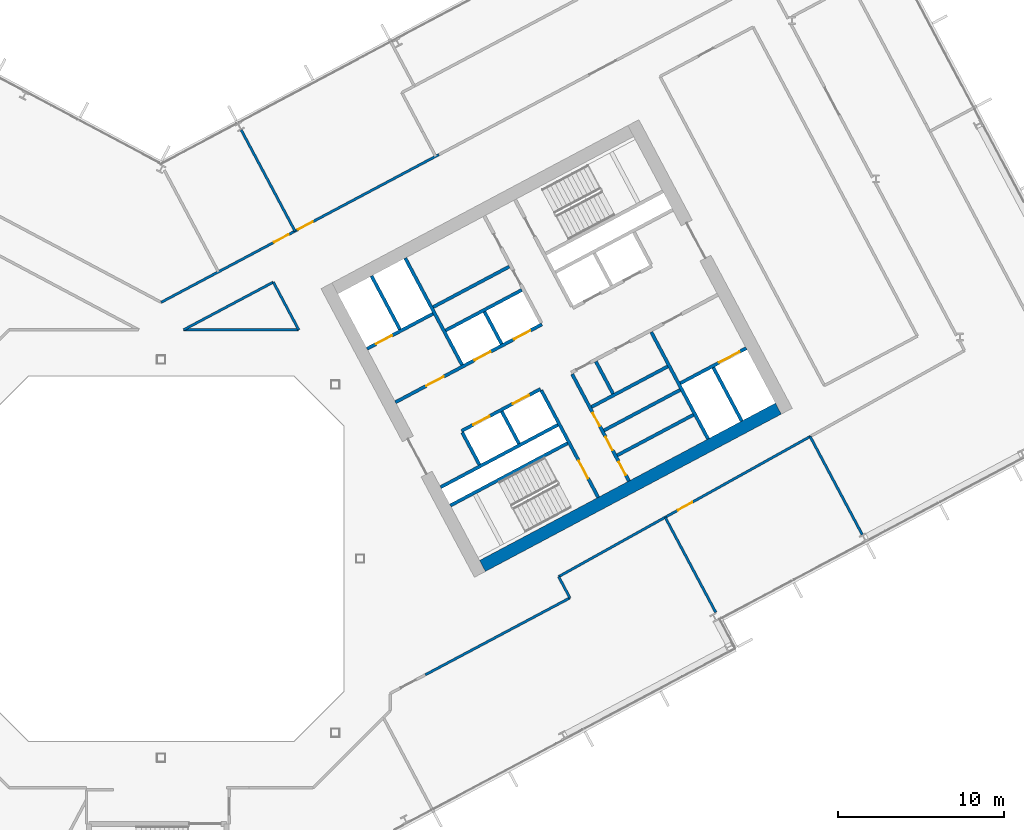
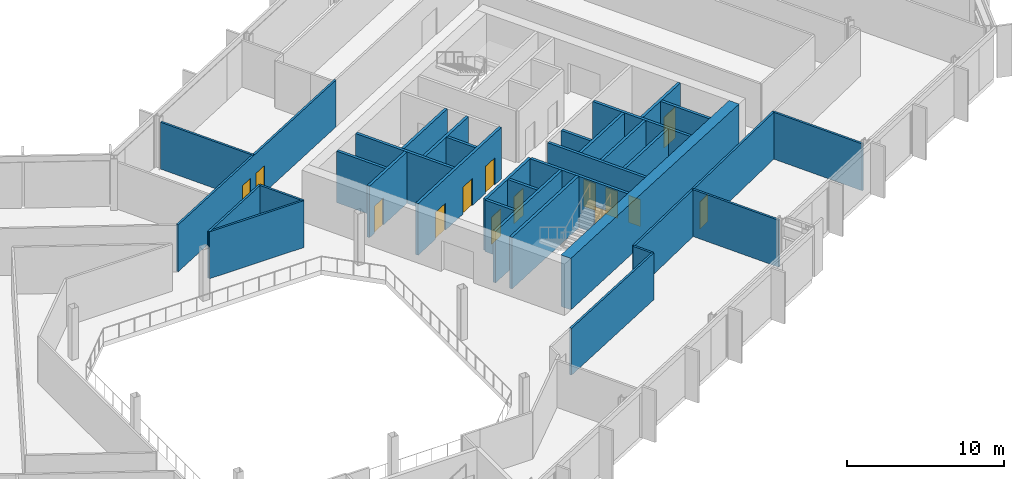
# One storey, part 16 of 28: 32 walls, 14 doors, 14 openings.
"""IFC4 building model written with IfcOpenShell, lengths in metres."""

from ifc_helpers import new_model, si_unit, direction, frame, frame_2d, origin, place, context, subcontext, project, spatial, rectangle, extrude, material, layer, layer_set, type_object, element, fill, save


model = new_model("IFC4")

# Units and contexts
model_context = context("Model", 3, precision=1e-05, world=origin(), true_north=direction((0.0, 1.0)))
body_context = subcontext(model_context, "Body", "Model", "MODEL_VIEW")
ifc_project = project(units=[si_unit("LENGTHUNIT", "METRE"), si_unit("AREAUNIT", "SQUARE_METRE"), si_unit("VOLUMEUNIT", "CUBIC_METRE"), si_unit("PLANEANGLEUNIT", "RADIAN"), si_unit("MASSUNIT", "GRAM", prefix="KILO")], contexts=[model_context])

# Site, building, storey
site_placement = place(None, origin())
site = spatial("IfcSite", under=ifc_project, at=site_placement, CompositionType="ELEMENT")
building_placement = place(site_placement, origin())
building = spatial("IfcBuilding", under=site, at=building_placement, Name="Cormorant Relay Tower", CompositionType="ELEMENT")
storey_placement = place(building_placement, frame((0.0, 0.0, 122.199951171875)))
storey = spatial("IfcBuildingStorey", under=building, at=storey_placement, Name="L24", CompositionType="ELEMENT", Elevation=122.199951171875)

# Walls
ifc_material_1 = material(Name="Concrete 40 MPa", Category="concrete")
ifc_layer_1 = layer(ifc_material_1, 0.199951171875)
ifc_layer_set_1 = layer_set([ifc_layer_1], Name="Core internal wall 200")
wall_type_1 = type_object("IfcWallType", Name="Core internal wall 200", PredefinedType="SOLIDWALL", material=ifc_layer_set_1)
for number, where, z_axis, x_axis, name in (
    (1, (21.567626953125, 6.9375, 0.0), (0.0, 0.0, 1.0), (-0.469533832133, 0.882914480843, 0.0), "L24 core B shaft and room wall"),
    (2, (20.522216796875, 12.950439453125, 0.0), (0.0, 0.0, 1.0), (-0.469401318492, 0.882984938828, 0.0), "L24 core B shaft and room wall"),
    (3, (27.236083984375, 9.951416015625, 0.0), (0.0, 0.0, 1.0), (-0.4694473164, 0.882960484464, 0.0), "L24 core B shaft and room wall"),
):
    element("IfcWall", number, at=place(storey_placement, frame(where, z_axis=z_axis, x_axis=x_axis)), inside=storey, type_object=wall_type_1, Name=name, PredefinedType="SOLIDWALL", context=body_context, shape_type="SweptSolid", body=[
        extrude(rectangle(XDim=2.199951171875, YDim=0.199951171875, at=frame_2d((1.10009765625, 0.0))), origin(), (0.0, 0.0, 1.0), 4.0),
    ])
for number, where, z_axis, x_axis, name in (
    (4, (27.490234375, 6.23583984375, 0.0), (0.0, 0.0, 1.0), (0.882953967957, 0.469459572775, 0.0), "L24 core B shaft and room wall"),
    (5, (26.692138671875, 7.73681640625, 0.0), (0.0, 0.0, 1.0), (0.882953967957, 0.469459572775, 0.0), "L24 core B shaft and room wall"),
    (6, (16.395751953125, 15.17333984375, 0.0), (0.0, 0.0, 1.0), (0.882934506056, 0.469496174655, 0.0), "L24 core B shaft and room wall"),
):
    element("IfcWall", number, at=place(storey_placement, frame(where, z_axis=z_axis, x_axis=x_axis)), inside=storey, type_object=wall_type_1, Name=name, PredefinedType="SOLIDWALL", context=body_context, shape_type="SweptSolid", body=[
        extrude(rectangle(XDim=5.199951171875, YDim=0.199951171875, at=frame_2d((2.60009765625, 0.0))), origin(), (0.0, 0.0, 1.0), 4.0),
    ])
ifc_material_2 = material(Name="Concrete 50 MPa", Category="concrete")
ifc_layer_2 = layer(ifc_material_2, 0.199951171875)
ifc_layer_set_2 = layer_set([ifc_layer_2], Name="Core shaft wall 200")
wall_type_2 = type_object("IfcWallType", Name="Core shaft wall 200", PredefinedType="SHEAR", material=ifc_layer_set_2)
wall_1_placement = place(storey_placement, frame((14.39404296875, 13.825927734375, 0.0), z_axis=(0.0, 0.0, 1.0), x_axis=(-0.469494272526, 0.882935517501, 0.0)))
element("IfcWall", 7, at=wall_1_placement, inside=storey, type_object=wall_type_2, Name="L24 core B shaft wall", PredefinedType="SHEAR", context=body_context, shape_type="SweptSolid", body=[
    extrude(rectangle(XDim=3.64990234375, YDim=0.199951171875, at=frame_2d((1.824951171875, 0.0))), origin(), (0.0, 0.0, 1.0), 4.0),
])
wall_2_placement = place(storey_placement, frame((19.18359375, 5.669921875, 0.0), z_axis=(0.0, 0.0, 1.0), x_axis=(-0.4694473164, 0.882960484464, 0.0)))
element("IfcWall", 8, at=wall_2_placement, inside=storey, type_object=wall_type_2, Name="L24 core B shaft wall", PredefinedType="SHEAR", context=body_context, shape_type="SweptSolid", body=[
    extrude(rectangle(XDim=2.199951171875, YDim=0.199951171875, at=frame_2d((1.10009765625, 0.0))), origin(), (0.0, 0.0, 1.0), 4.0),
])
wall_3_placement = place(storey_placement, frame((18.138427734375, 11.682861328125, 0.0), z_axis=(0.0, 0.0, 1.0), x_axis=(-0.469480409012, 0.88294288918, 0.0)))
element("IfcWall", 9, at=wall_3_placement, inside=storey, type_object=wall_type_2, Name="L24 core B shaft wall", PredefinedType="SHEAR", context=body_context, shape_type="SweptSolid", body=[
    extrude(rectangle(XDim=7.300048828125, YDim=0.199951171875, at=frame_2d((3.64990234375, 0.0))), origin(), (0.0, 0.0, 1.0), 4.0),
])

# Wall, opening, door
wall_4_placement = place(storey_placement, frame((26.345947265625, 3.701904296875, 0.0), z_axis=(0.0, 0.0, 1.0), x_axis=(-0.469480409012, 0.88294288918, 0.0)))
wall_4 = element("IfcWall", 10, at=wall_4_placement, inside=storey, type_object=wall_type_2, Name="L24 core B shaft wall", PredefinedType="SHEAR", context=body_context, shape_type="SweptSolid", body=[
    extrude(rectangle(XDim=7.300048828125, YDim=0.199951171875, at=frame_2d((3.64990234375, 0.0))), origin(), (0.0, 0.0, 1.0), 4.0),
])
opening_1_placement = place(wall_4_placement, frame((1.300048828125, 0.0, 0.0)))
opening_1 = element("IfcOpeningElement", 11, at=opening_1_placement, cuts=wall_4, Name="Opening CDB-036", PredefinedType="OPENING", context=body_context, shape_type="SweptSolid", body=[
    extrude(rectangle(XDim=1.199951171875, YDim=2.10009765625, at=frame_2d((0.60009765625, 1.050048828125))), frame((0.0, 0.10986328125, 0.0), z_axis=(0.0, -1.0, 0.0), x_axis=(1.0, 0.0, 0.0)), (0.0, 0.0, 1.0), 0.219970703125),
])
ifc_material_3 = material(Name="Steel fire door", Category="steel")
door_type_1 = type_object("IfcDoorType", Name="Core stair door 1200x2100", OperationType="SINGLE_SWING_LEFT", PredefinedType="DOOR", material=ifc_material_3)
door_1_placement = place(opening_1_placement, origin())
door_1 = element("IfcDoor", 12, at=door_1_placement, inside=storey, type_object=door_type_1, Name="Core stair door 1200x2100", OperationType="SINGLE_SWING_RIGHT", OverallHeight=2.10009765625, OverallWidth=1.199951171875, PredefinedType="DOOR", context=body_context, shape_type="SweptSolid", body=[
    extrude(rectangle(XDim=1.199951171875, YDim=2.10009765625, at=frame_2d((0.60009765625, 1.050048828125))), frame((0.0, 0.02490234375, 0.0), z_axis=(0.0, -1.0, 0.0), x_axis=(1.0, 0.0, 0.0)), (0.0, 0.0, 1.0), 0.050048828125),
])
fill(opening_1, door_1)

# Wall, openings, doors
wall_5_placement = place(storey_placement, frame((28.199951171875, 4.687744140625, 0.0), z_axis=(0.0, 0.0, 1.0), x_axis=(-0.469454336211, 0.882956752176, 0.0)))
wall_5 = element("IfcWall", 13, at=wall_5_placement, inside=storey, type_object=wall_type_2, Name="L24 core B shaft wall", PredefinedType="SHEAR", context=body_context, shape_type="SweptSolid", body=[
    extrude(rectangle(XDim=7.300048828125, YDim=0.199951171875, at=frame_2d((3.64990234375, 0.0))), origin(), (0.0, 0.0, 1.0), 4.0),
])
opening_2_placement = place(wall_5_placement, frame((0.39990234375, 0.0, 0.0)))
opening_2 = element("IfcOpeningElement", 14, at=opening_2_placement, cuts=wall_5, Name="Opening CDD-181", PredefinedType="OPENING", context=body_context, shape_type="SweptSolid", body=[
    extrude(rectangle(XDim=0.89990234375, YDim=2.10009765625, at=frame_2d((0.449951171875, 1.050048828125))), frame((0.0, 0.10986328125, 0.0), z_axis=(0.0, -1.0, 0.0), x_axis=(1.0, 0.0, 0.0)), (0.0, 0.0, 1.0), 0.219970703125),
])
opening_3_placement = place(wall_5_placement, frame((2.10009765625, 0.0, 0.0)))
opening_3 = element("IfcOpeningElement", 15, at=opening_3_placement, cuts=wall_5, Name="Opening CDD-182", PredefinedType="OPENING", context=body_context, shape_type="SweptSolid", body=[
    extrude(rectangle(XDim=0.89990234375, YDim=2.10009765625, at=frame_2d((0.449951171875, 1.050048828125))), frame((0.0, 0.10986328125, 0.0), z_axis=(0.0, -1.0, 0.0), x_axis=(1.0, 0.0, 0.0)), (0.0, 0.0, 1.0), 0.219970703125),
])
opening_4_placement = place(wall_5_placement, frame((3.75, 0.0, 0.0)))
opening_4 = element("IfcOpeningElement", 16, at=opening_4_placement, cuts=wall_5, Name="Opening CDD-183", PredefinedType="OPENING", context=body_context, shape_type="SweptSolid", body=[
    extrude(rectangle(XDim=0.89990234375, YDim=2.10009765625, at=frame_2d((0.449951171875, 1.050048828125))), frame((0.0, 0.10986328125, 0.0), z_axis=(0.0, -1.0, 0.0), x_axis=(1.0, 0.0, 0.0)), (0.0, 0.0, 1.0), 0.219970703125),
])
ifc_material_4 = material(Name="Steel fire door", Category="steel")
door_type_2 = type_object("IfcDoorType", Name="Core room door 900x2100", OperationType="SINGLE_SWING_LEFT", PredefinedType="DOOR", material=ifc_material_4)
door_2_placement = place(opening_2_placement, frame((0.89990234375, 0.0, 0.0), z_axis=(0.0, 0.0, 1.0), x_axis=(-1.0, 0.0, 0.0)))
door_2 = element("IfcDoor", 17, at=door_2_placement, inside=storey, type_object=door_type_2, Name="Core room door 900x2100", OperationType="SINGLE_SWING_LEFT", OverallHeight=2.10009765625, OverallWidth=0.89990234375, PredefinedType="DOOR", context=body_context, shape_type="SweptSolid", body=[
    extrude(rectangle(XDim=0.89990234375, YDim=2.10009765625, at=frame_2d((0.449951171875, 1.050048828125))), frame((0.0, 0.02490234375, 0.0), z_axis=(0.0, -1.0, 0.0), x_axis=(1.0, 0.0, 0.0)), (0.0, 0.0, 1.0), 0.050048828125),
])
fill(opening_2, door_2)
door_3_placement = place(opening_3_placement, frame((0.89990234375, 0.0, 0.0), z_axis=(0.0, 0.0, 1.0), x_axis=(-1.0, 0.0, 0.0)))
door_3 = element("IfcDoor", 18, at=door_3_placement, inside=storey, type_object=door_type_2, Name="Core room door 900x2100", OperationType="SINGLE_SWING_LEFT", OverallHeight=2.10009765625, OverallWidth=0.89990234375, PredefinedType="DOOR", context=body_context, shape_type="SweptSolid", body=[
    extrude(rectangle(XDim=0.89990234375, YDim=2.10009765625, at=frame_2d((0.449951171875, 1.050048828125))), frame((0.0, 0.02490234375, 0.0), z_axis=(0.0, -1.0, 0.0), x_axis=(1.0, 0.0, 0.0)), (0.0, 0.0, 1.0), 0.050048828125),
])
fill(opening_3, door_3)
door_4_placement = place(opening_4_placement, frame((0.89990234375, 0.0, 0.0), z_axis=(0.0, 0.0, 1.0), x_axis=(-1.0, 0.0, 0.0)))
door_4 = element("IfcDoor", 19, at=door_4_placement, inside=storey, type_object=door_type_2, Name="Core room door 900x2100", OperationType="SINGLE_SWING_LEFT", OverallHeight=2.10009765625, OverallWidth=0.89990234375, PredefinedType="DOOR", context=body_context, shape_type="SweptSolid", body=[
    extrude(rectangle(XDim=0.89990234375, YDim=2.10009765625, at=frame_2d((0.449951171875, 1.050048828125))), frame((0.0, 0.02490234375, 0.0), z_axis=(0.0, -1.0, 0.0), x_axis=(1.0, 0.0, 0.0)), (0.0, 0.0, 1.0), 0.050048828125),
])
fill(opening_4, door_4)

# Walls
wall_6_placement = place(storey_placement, frame((32.968017578125, 7.222900390625, 0.0), z_axis=(0.0, 0.0, 1.0), x_axis=(-0.469480409012, 0.88294288918, 0.0)))
element("IfcWall", 20, at=wall_6_placement, inside=storey, type_object=wall_type_2, Name="L24 core B shaft wall", PredefinedType="SHEAR", context=body_context, shape_type="SweptSolid", body=[
    extrude(rectangle(XDim=7.300048828125, YDim=0.199951171875, at=frame_2d((3.64990234375, 0.0))), origin(), (0.0, 0.0, 1.0), 4.0),
])
wall_7_placement = place(storey_placement, frame((34.998779296875, 8.302734375, 0.0), z_axis=(0.0, 0.0, 1.0), x_axis=(-0.4694665462, 0.882950260207, 0.0)))
element("IfcWall", 21, at=wall_7_placement, inside=storey, type_object=wall_type_2, Name="L24 core B shaft wall", PredefinedType="SHEAR", context=body_context, shape_type="SweptSolid", body=[
    extrude(rectangle(XDim=3.650146484375, YDim=0.199951171875, at=frame_2d((1.8251953125, 0.0))), origin(), (0.0, 0.0, 1.0), 4.0),
])
wall_8_placement = place(storey_placement, frame((17.43359375, 3.210205078125, 0.0), z_axis=(0.0, 0.0, 1.0), x_axis=(0.882940221191, 0.469485426614, 0.0)))
element("IfcWall", 22, at=wall_8_placement, inside=storey, type_object=wall_type_2, Name="L24 core B shaft wall", PredefinedType="SHEAR", context=body_context, shape_type="SweptSolid", body=[
    extrude(rectangle(XDim=8.0, YDim=0.199951171875, at=frame_2d((4.0, 0.0))), origin(), (0.0, 0.0, 1.0), 4.0),
])

# Wall, opening, door
wall_9_placement = place(storey_placement, frame((31.295654296875, 10.5810546875, 0.0), z_axis=(0.0, 0.0, 1.0), x_axis=(0.882960433586, 0.469447412093, 0.0)))
wall_9 = element("IfcWall", 23, at=wall_9_placement, inside=storey, type_object=wall_type_2, Name="L24 core B shaft wall", PredefinedType="SHEAR", context=body_context, shape_type="SweptSolid", body=[
    extrude(rectangle(XDim=4.5, YDim=0.199951171875, at=frame_2d((2.25, 0.0))), origin(), (0.0, 0.0, 1.0), 4.0),
])
opening_5_placement = place(wall_9_placement, frame((2.64990234375, 0.0, 0.0)))
opening_5 = element("IfcOpeningElement", 24, at=opening_5_placement, cuts=wall_9, Name="Opening LD3-014", PredefinedType="OPENING", context=body_context, shape_type="SweptSolid", body=[
    extrude(rectangle(XDim=1.39990234375, YDim=2.39990234375, at=frame_2d((0.699951171875, 1.199951171875))), frame((0.0, 0.10986328125, 0.0), z_axis=(0.0, -1.0, 0.0), x_axis=(1.0, 0.0, 0.0)), (0.0, 0.0, 1.0), 0.219970703125),
])
ifc_material_5 = material(Name="Stainless steel 316", Category="steel")
door_type_3 = type_object("IfcDoorType", Name="Lift landing door 1400x2400", OperationType="DOUBLE_DOOR_SLIDING", PredefinedType="DOOR", material=ifc_material_5)
door_5_placement = place(opening_5_placement, origin())
door_5 = element("IfcDoor", 25, at=door_5_placement, inside=storey, type_object=door_type_3, Name="SV2 landing door", OperationType="DOUBLE_DOOR_SLIDING", OverallHeight=2.39990234375, OverallWidth=1.39990234375, PredefinedType="DOOR", context=body_context, shape_type="SweptSolid", body=[
    extrude(rectangle(XDim=1.39990234375, YDim=2.39990234375, at=frame_2d((0.699951171875, 1.199951171875))), frame((0.0, 0.02490234375, 0.0), z_axis=(0.0, -1.0, 0.0), x_axis=(1.0, 0.0, 0.0)), (0.0, 0.0, 1.0), 0.050048828125),
])
fill(opening_5, door_5)

# Walls
wall_10_placement = place(storey_placement, frame((16.8466796875, 4.31396484375, 0.0), z_axis=(0.0, 0.0, 1.0), x_axis=(0.882940221191, 0.469485426614, 0.0)))
element("IfcWall", 26, at=wall_10_placement, inside=storey, type_object=wall_type_2, Name="L24 core B shaft wall", PredefinedType="SHEAR", context=body_context, shape_type="SweptSolid", body=[
    extrude(rectangle(XDim=8.0, YDim=0.199951171875, at=frame_2d((4.0, 0.0))), origin(), (0.0, 0.0, 1.0), 4.0),
])
wall_11_placement = place(storey_placement, frame((25.94091796875, 9.149658203125, 0.0), z_axis=(0.0, 0.0, 1.0), x_axis=(0.882953967957, 0.469459572775, 0.0)))
element("IfcWall", 27, at=wall_11_placement, inside=storey, type_object=wall_type_2, Name="L24 core B shaft wall", PredefinedType="SHEAR", context=body_context, shape_type="SweptSolid", body=[
    extrude(rectangle(XDim=5.199951171875, YDim=0.199951171875, at=frame_2d((2.60009765625, 0.0))), origin(), (0.0, 0.0, 1.0), 4.0),
])

# Wall, openings, doors
wall_12_placement = place(storey_placement, frame((18.103759765625, 7.70068359375, 0.0), z_axis=(0.0, 0.0, 1.0), x_axis=(0.882952937579, 0.469461510692, 0.0)))
wall_12 = element("IfcWall", 28, at=wall_12_placement, inside=storey, type_object=wall_type_2, Name="L24 core B shaft wall", PredefinedType="SHEAR", context=body_context, shape_type="SweptSolid", body=[
    extrude(rectangle(XDim=5.400146484375, YDim=0.199951171875, at=frame_2d((2.7001953125, 0.0))), origin(), (0.0, 0.0, 1.0), 4.0),
])
opening_6_placement = place(wall_12_placement, frame((0.800048828125, 0.0, 0.0)))
opening_6 = element("IfcOpeningElement", 29, at=opening_6_placement, cuts=wall_12, Name="Opening LD1-048", PredefinedType="OPENING", context=body_context, shape_type="SweptSolid", body=[
    extrude(rectangle(XDim=1.10009765625, YDim=2.10009765625, at=frame_2d((0.550048828125, 1.050048828125))), frame((0.0, 0.10986328125, 0.0), z_axis=(0.0, -1.0, 0.0), x_axis=(1.0, 0.0, 0.0)), (0.0, 0.0, 1.0), 0.219970703125),
])
opening_7_placement = place(wall_12_placement, frame((3.5, 0.0, 0.0)))
opening_7 = element("IfcOpeningElement", 30, at=opening_7_placement, cuts=wall_12, Name="Opening LD1-049", PredefinedType="OPENING", context=body_context, shape_type="SweptSolid", body=[
    extrude(rectangle(XDim=1.10009765625, YDim=2.10009765625, at=frame_2d((0.550048828125, 1.050048828125))), frame((0.0, 0.10986328125, 0.0), z_axis=(0.0, -1.0, 0.0), x_axis=(1.0, 0.0, 0.0)), (0.0, 0.0, 1.0), 0.219970703125),
])
ifc_material_6 = material(Name="Stainless steel 316", Category="steel")
door_type_4 = type_object("IfcDoorType", Name="Lift landing door 1100x2100", OperationType="DOUBLE_DOOR_SLIDING", PredefinedType="DOOR", material=ifc_material_6)
door_6_placement = place(opening_6_placement, origin())
door_6 = element("IfcDoor", 31, at=door_6_placement, inside=storey, type_object=door_type_4, Name="LR5 landing door", OperationType="DOUBLE_DOOR_SLIDING", OverallHeight=2.10009765625, OverallWidth=1.10009765625, PredefinedType="DOOR", context=body_context, shape_type="SweptSolid", body=[
    extrude(rectangle(XDim=1.10009765625, YDim=2.10009765625, at=frame_2d((0.550048828125, 1.050048828125))), frame((0.0, 0.02490234375, 0.0), z_axis=(0.0, -1.0, 0.0), x_axis=(1.0, 0.0, 0.0)), (0.0, 0.0, 1.0), 0.050048828125),
])
fill(opening_6, door_6)
door_7_placement = place(opening_7_placement, origin())
door_7 = element("IfcDoor", 32, at=door_7_placement, inside=storey, type_object=door_type_4, Name="LR6 landing door", OperationType="DOUBLE_DOOR_SLIDING", OverallHeight=2.10009765625, OverallWidth=1.10009765625, PredefinedType="DOOR", context=body_context, shape_type="SweptSolid", body=[
    extrude(rectangle(XDim=1.10009765625, YDim=2.10009765625, at=frame_2d((0.550048828125, 1.050048828125))), frame((0.0, 0.02490234375, 0.0), z_axis=(0.0, -1.0, 0.0), x_axis=(1.0, 0.0, 0.0)), (0.0, 0.0, 1.0), 0.050048828125),
])
fill(opening_7, door_7)

wall_13_placement = place(storey_placement, frame((14.123779296875, 9.43505859375, 0.0), z_axis=(0.0, 0.0, 1.0), x_axis=(0.882940221191, 0.469485426614, 0.0)))
wall_13 = element("IfcWall", 33, at=wall_13_placement, inside=storey, type_object=wall_type_2, Name="L24 core B shaft wall", PredefinedType="SHEAR", context=body_context, shape_type="SweptSolid", body=[
    extrude(rectangle(XDim=10.0, YDim=0.199951171875, at=frame_2d((5.0, 0.0))), origin(), (0.0, 0.0, 1.0), 4.0),
])
opening_8_placement = place(wall_13_placement, frame((2.10009765625, 0.0, 0.0)))
opening_8 = element("IfcOpeningElement", 34, at=opening_8_placement, cuts=wall_13, Name="Opening CDC-027", PredefinedType="OPENING", context=body_context, shape_type="SweptSolid", body=[
    extrude(rectangle(XDim=1.199951171875, YDim=2.10009765625, at=frame_2d((0.60009765625, 1.050048828125))), frame((0.0, 0.10986328125, 0.0), z_axis=(0.0, -1.0, 0.0), x_axis=(1.0, 0.0, 0.0)), (0.0, 0.0, 1.0), 0.219970703125),
])
opening_9_placement = place(wall_13_placement, frame((5.39990234375, 0.0, 0.0)))
opening_9 = element("IfcOpeningElement", 35, at=opening_9_placement, cuts=wall_13, Name="Opening LD1-044", PredefinedType="OPENING", context=body_context, shape_type="SweptSolid", body=[
    extrude(rectangle(XDim=1.10009765625, YDim=2.10009765625, at=frame_2d((0.550048828125, 1.050048828125))), frame((0.0, 0.10986328125, 0.0), z_axis=(0.0, -1.0, 0.0), x_axis=(1.0, 0.0, 0.0)), (0.0, 0.0, 1.0), 0.219970703125),
])
opening_10_placement = place(wall_13_placement, frame((8.10009765625, 0.0, 0.0)))
opening_10 = element("IfcOpeningElement", 36, at=opening_10_placement, cuts=wall_13, Name="Opening LD1-045", PredefinedType="OPENING", context=body_context, shape_type="SweptSolid", body=[
    extrude(rectangle(XDim=1.10009765625, YDim=2.10009765625, at=frame_2d((0.550048828125, 1.050048828125))), frame((0.0, 0.10986328125, 0.0), z_axis=(0.0, -1.0, 0.0), x_axis=(1.0, 0.0, 0.0)), (0.0, 0.0, 1.0), 0.219970703125),
])
ifc_material_7 = material(Name="Steel fire door", Category="steel")
door_type_5 = type_object("IfcDoorType", Name="Core lobby door 1200x2100", OperationType="SINGLE_SWING_LEFT", PredefinedType="DOOR", material=ifc_material_7)
door_8_placement = place(opening_8_placement, origin())
door_8 = element("IfcDoor", 37, at=door_8_placement, inside=storey, type_object=door_type_5, Name="Core lobby door 1200x2100", OperationType="SINGLE_SWING_RIGHT", OverallHeight=2.10009765625, OverallWidth=1.199951171875, PredefinedType="DOOR", context=body_context, shape_type="SweptSolid", body=[
    extrude(rectangle(XDim=1.199951171875, YDim=2.10009765625, at=frame_2d((0.60009765625, 1.050048828125))), frame((0.0, 0.02490234375, 0.0), z_axis=(0.0, -1.0, 0.0), x_axis=(1.0, 0.0, 0.0)), (0.0, 0.0, 1.0), 0.050048828125),
])
fill(opening_8, door_8)
door_9_placement = place(opening_9_placement, origin())
door_9 = element("IfcDoor", 38, at=door_9_placement, inside=storey, type_object=door_type_4, Name="LR1 landing door", OperationType="DOUBLE_DOOR_SLIDING", OverallHeight=2.10009765625, OverallWidth=1.10009765625, PredefinedType="DOOR", context=body_context, shape_type="SweptSolid", body=[
    extrude(rectangle(XDim=1.10009765625, YDim=2.10009765625, at=frame_2d((0.550048828125, 1.050048828125))), frame((0.0, 0.02490234375, 0.0), z_axis=(0.0, -1.0, 0.0), x_axis=(1.0, 0.0, 0.0)), (0.0, 0.0, 1.0), 0.050048828125),
])
fill(opening_9, door_9)
door_10_placement = place(opening_10_placement, origin())
door_10 = element("IfcDoor", 39, at=door_10_placement, inside=storey, type_object=door_type_4, Name="LR2 landing door", OperationType="DOUBLE_DOOR_SLIDING", OverallHeight=2.10009765625, OverallWidth=1.10009765625, PredefinedType="DOOR", context=body_context, shape_type="SweptSolid", body=[
    extrude(rectangle(XDim=1.10009765625, YDim=2.10009765625, at=frame_2d((0.550048828125, 1.050048828125))), frame((0.0, 0.02490234375, 0.0), z_axis=(0.0, -1.0, 0.0), x_axis=(1.0, 0.0, 0.0)), (0.0, 0.0, 1.0), 0.050048828125),
])
fill(opening_10, door_10)

# Wall
wall_14_placement = place(storey_placement, frame((17.146728515625, 13.7607421875, 0.0), z_axis=(0.0, 0.0, 1.0), x_axis=(0.882964314875, 0.469440111896, 0.0)))
element("IfcWall", 40, at=wall_14_placement, inside=storey, type_object=wall_type_2, Name="L24 core B shaft wall", PredefinedType="SHEAR", context=body_context, shape_type="SweptSolid", body=[
    extrude(rectangle(XDim=5.2001953125, YDim=0.199951171875, at=frame_2d((2.60009765625, 0.0))), origin(), (0.0, 0.0, 1.0), 4.0),
])

# Wall, opening, door
wall_15_placement = place(storey_placement, frame((12.41015625, 12.657958984375, 0.0), z_axis=(0.0, 0.0, 1.0), x_axis=(0.8829484765, 0.469469900894, 0.0)))
wall_15 = element("IfcWall", 41, at=wall_15_placement, inside=storey, type_object=wall_type_2, Name="L24 core B shaft wall", PredefinedType="SHEAR", context=body_context, shape_type="SweptSolid", body=[
    extrude(rectangle(XDim=4.499755859375, YDim=0.199951171875, at=frame_2d((2.25, 0.0))), origin(), (0.0, 0.0, 1.0), 4.0),
])
opening_11_placement = place(wall_15_placement, frame((0.60009765625, 0.0, 0.0)))
opening_11 = element("IfcOpeningElement", 42, at=opening_11_placement, cuts=wall_15, Name="Opening LD1-050", PredefinedType="OPENING", context=body_context, shape_type="SweptSolid", body=[
    extrude(rectangle(XDim=1.10009765625, YDim=2.10009765625, at=frame_2d((0.550048828125, 1.050048828125))), frame((0.0, 0.10986328125, 0.0), z_axis=(0.0, -1.0, 0.0), x_axis=(1.0, 0.0, 0.0)), (0.0, 0.0, 1.0), 0.219970703125),
])
door_11_placement = place(opening_11_placement, origin())
door_11 = element("IfcDoor", 43, at=door_11_placement, inside=storey, type_object=door_type_4, Name="FF2 landing door", OperationType="DOUBLE_DOOR_SLIDING", OverallHeight=2.10009765625, OverallWidth=1.10009765625, PredefinedType="DOOR", context=body_context, shape_type="SweptSolid", body=[
    extrude(rectangle(XDim=1.10009765625, YDim=2.10009765625, at=frame_2d((0.550048828125, 1.050048828125))), frame((0.0, 0.02490234375, 0.0), z_axis=(0.0, -1.0, 0.0), x_axis=(1.0, 0.0, 0.0)), (0.0, 0.0, 1.0), 0.050048828125),
])
fill(opening_11, door_11)

# Wall
ifc_material_8 = material(Name="Concrete 60 MPa", Category="concrete")
ifc_layer_3 = layer(ifc_material_8, 0.75)
ifc_layer_set_3 = layer_set([ifc_layer_3], Name="Core wall 750")
wall_type_3 = type_object("IfcWallType", Name="Core wall 750", PredefinedType="SHEAR", material=ifc_layer_set_3)
wall_16_placement = place(storey_placement, frame((19.3701171875, -0.431884765625, 0.0), z_axis=(0.0, 0.0, 1.0), x_axis=(0.88294509198, 0.469476266226, 0.0)))
element("IfcWall", 44, at=wall_16_placement, inside=storey, type_object=wall_type_3, Name="L24 core B wall", PredefinedType="SHEAR", context=body_context, shape_type="SweptSolid", body=[
    extrude(rectangle(XDim=20.199951171875, YDim=0.75, at=frame_2d((10.10009765625, 0.0))), origin(), (0.0, 0.0, 1.0), 4.0),
])

# Wall, openings, doors
ifc_material_9 = material(Name="Gypsum board fire partition")
ifc_layer_4 = layer(ifc_material_9, 0.14990234375)
ifc_layer_set_4 = layer_set([ifc_layer_4], Name="Corridor partition 150 EI 60")
wall_type_4 = type_object("IfcWallType", Name="Corridor partition 150 EI 60", PredefinedType="PARTITIONING", material=ifc_layer_set_4)
wall_17_placement = place(storey_placement, frame((0.0, 15.4599609375, 0.0), z_axis=(0.0, 0.0, 1.0), x_axis=(0.882952116052, 0.469463055798, 0.0)))
wall_17 = element("IfcWall", 45, at=wall_17_placement, inside=storey, type_object=wall_type_4, Name="wall/L24/part/034", PredefinedType="PARTITIONING", context=body_context, shape_type="SweptSolid", body=[
    extrude(rectangle(XDim=18.960205078125, YDim=0.14990234375, at=frame_2d((9.47998046875, 0.0))), origin(), (0.0, 0.0, 1.0), 3.64013671875),
])
opening_12_placement = place(wall_17_placement, frame((9.35009765625, 0.0, 0.0)))
opening_12 = element("IfcOpeningElement", 46, at=opening_12_placement, cuts=wall_17, Name="Opening DS-005", PredefinedType="OPENING", context=body_context, shape_type="SweptSolid", body=[
    extrude(rectangle(XDim=1.0, YDim=2.10009765625, at=frame_2d((0.5, 1.050048828125))), frame((0.0, 0.0849609375, 0.0), z_axis=(0.0, -1.0, 0.0), x_axis=(1.0, 0.0, 0.0)), (0.0, 0.0, 1.0), 0.169921875),
])
opening_13_placement = place(wall_17_placement, frame((7.699951171875, 0.0, 0.0)))
opening_13 = element("IfcOpeningElement", 47, at=opening_13_placement, cuts=wall_17, Name="Opening DS-006", PredefinedType="OPENING", context=body_context, shape_type="SweptSolid", body=[
    extrude(rectangle(XDim=1.0, YDim=2.10009765625, at=frame_2d((0.5, 1.050048828125))), frame((0.0, 0.0849609375, 0.0), z_axis=(0.0, -1.0, 0.0), x_axis=(1.0, 0.0, 0.0)), (0.0, 0.0, 1.0), 0.169921875),
])
ifc_material_10 = material(Name="Timber door leaf", Category="wood")
door_type_6 = type_object("IfcDoorType", Name="Suite door 1000x2100", OperationType="SINGLE_SWING_LEFT", PredefinedType="DOOR", material=ifc_material_10)
door_12_placement = place(opening_12_placement, origin())
door_12 = element("IfcDoor", 48, at=door_12_placement, inside=storey, type_object=door_type_6, Name="door/L24/008", OperationType="SINGLE_SWING_LEFT", OverallHeight=2.10009765625, OverallWidth=1.0, PredefinedType="DOOR", context=body_context, shape_type="SweptSolid", body=[
    extrude(rectangle(XDim=1.0, YDim=2.10009765625, at=frame_2d((0.5, 1.050048828125))), frame((0.0, 0.02490234375, 0.0), z_axis=(0.0, -1.0, 0.0), x_axis=(1.0, 0.0, 0.0)), (0.0, 0.0, 1.0), 0.050048828125),
])
fill(opening_12, door_12)
door_13_placement = place(opening_13_placement, origin())
door_13 = element("IfcDoor", 49, at=door_13_placement, inside=storey, type_object=door_type_6, Name="door/L24/009", OperationType="SINGLE_SWING_RIGHT", OverallHeight=2.10009765625, OverallWidth=1.0, PredefinedType="DOOR", context=body_context, shape_type="SweptSolid", body=[
    extrude(rectangle(XDim=1.0, YDim=2.10009765625, at=frame_2d((0.5, 1.050048828125))), frame((0.0, 0.02490234375, 0.0), z_axis=(0.0, -1.0, 0.0), x_axis=(1.0, 0.0, 0.0)), (0.0, 0.0, 1.0), 0.050048828125),
])
fill(opening_13, door_13)

# Walls
wall_18_placement = place(storey_placement, frame((23.9609375, -1.0791015625, 0.0), z_axis=(0.0, 0.0, 1.0), x_axis=(0.469590610022, -0.882884284025, 0.0)))
element("IfcWall", 50, at=wall_18_placement, inside=storey, type_object=wall_type_4, Name="wall/L24/part/059", PredefinedType="PARTITIONING", context=body_context, shape_type="SweptSolid", body=[
    extrude(rectangle(XDim=1.448486328125, YDim=0.14990234375, at=frame_2d((0.72412109375, 0.0))), origin(), (0.0, 0.0, 1.0), 3.64013671875),
])
wall_19_placement = place(storey_placement, frame((24.64111328125, -2.35791015625, 0.0), z_axis=(0.0, 0.0, 1.0), x_axis=(-0.882939162052, -0.469487418484, 0.0)))
element("IfcWall", 51, at=wall_19_placement, inside=storey, type_object=wall_type_4, Name="wall/L24/part/060", PredefinedType="PARTITIONING", context=body_context, shape_type="SweptSolid", body=[
    extrude(rectangle(XDim=9.868408203125, YDim=0.14990234375, at=frame_2d((4.93408203125, 0.0))), origin(), (0.0, 0.0, 1.0), 3.64013671875),
])

# Wall, opening, door
wall_20_placement = place(storey_placement, frame((39.136962890625, 7.3779296875, 0.0), z_axis=(0.0, 0.0, 1.0), x_axis=(-0.873590594154, -0.486661559819, 0.0)))
wall_20 = element("IfcWall", 52, at=wall_20_placement, inside=storey, type_object=wall_type_4, Name="wall/L24/part/064", PredefinedType="PARTITIONING", context=body_context, shape_type="SweptSolid", body=[
    extrude(rectangle(XDim=17.373046875, YDim=0.14990234375, at=frame_2d((8.6865234375, 0.0))), origin(), (0.0, 0.0, 1.0), 3.64013671875),
])
opening_14_placement = place(wall_20_placement, frame((8.15087890625, 0.0, 0.0)))
opening_14 = element("IfcOpeningElement", 53, at=opening_14_placement, cuts=wall_20, Name="Opening DS-004", PredefinedType="OPENING", context=body_context, shape_type="SweptSolid", body=[
    extrude(rectangle(XDim=1.0, YDim=2.10009765625, at=frame_2d((0.5, 1.050048828125))), frame((0.0, 0.0849609375, 0.0), z_axis=(0.0, -1.0, 0.0), x_axis=(1.0, 0.0, 0.0)), (0.0, 0.0, 1.0), 0.169921875),
])
door_14_placement = place(opening_14_placement, origin())
door_14 = element("IfcDoor", 54, at=door_14_placement, inside=storey, type_object=door_type_6, Name="door/L24/005", OperationType="SINGLE_SWING_RIGHT", OverallHeight=2.10009765625, OverallWidth=1.0, PredefinedType="DOOR", context=body_context, shape_type="SweptSolid", body=[
    extrude(rectangle(XDim=1.0, YDim=2.10009765625, at=frame_2d((0.5, 1.050048828125))), frame((0.0, 0.02490234375, 0.0), z_axis=(0.0, -1.0, 0.0), x_axis=(1.0, 0.0, 0.0)), (0.0, 0.0, 1.0), 0.050048828125),
])
fill(opening_14, door_14)

# Walls
wall_21_placement = place(storey_placement, frame((1.35205078125, 13.800048828125, 0.0), z_axis=(0.0, 0.0, 1.0), x_axis=(1.0, 0.0, 0.0)))
element("IfcWall", 55, at=wall_21_placement, inside=storey, type_object=wall_type_4, Name="wall/L24/part/080", PredefinedType="PARTITIONING", context=body_context, shape_type="SweptSolid", body=[
    extrude(rectangle(XDim=6.93994140625, YDim=0.14990234375, at=frame_2d((3.469970703125, 0.0))), origin(), (0.0, 0.0, 1.0), 3.64013671875),
])
wall_22_placement = place(storey_placement, frame((8.2919921875, 13.800048828125, 0.0), z_axis=(0.0, 0.0, 1.0), x_axis=(-0.469549600855, 0.882906094858, 0.0)))
element("IfcWall", 56, at=wall_22_placement, inside=storey, type_object=wall_type_4, Name="wall/L24/part/081", PredefinedType="PARTITIONING", context=body_context, shape_type="SweptSolid", body=[
    extrude(rectangle(XDim=3.258544921875, YDim=0.14990234375, at=frame_2d((1.62939453125, 0.0))), origin(), (0.0, 0.0, 1.0), 3.64013671875),
])
wall_23_placement = place(storey_placement, frame((6.761962890625, 16.677001953125, 0.0), z_axis=(0.0, 0.0, 1.0), x_axis=(-0.882917024124, -0.469529049699, 0.0)))
element("IfcWall", 57, at=wall_23_placement, inside=storey, type_object=wall_type_4, Name="wall/L24/part/082", PredefinedType="PARTITIONING", context=body_context, shape_type="SweptSolid", body=[
    extrude(rectangle(XDim=6.127197265625, YDim=0.14990234375, at=frame_2d((3.0634765625, 0.0))), origin(), (0.0, 0.0, 1.0), 3.64013671875),
])
ifc_material_11 = material(Name="Gypsum board partition")
ifc_layer_5 = layer(ifc_material_11, 0.14990234375)
ifc_layer_set_5 = layer_set([ifc_layer_5], Name="Tenant partition 150")
wall_type_5 = type_object("IfcWallType", Name="Tenant partition 150", PredefinedType="PARTITIONING", material=ifc_layer_set_5)
wall_24_placement = place(storey_placement, frame((4.822021484375, 25.85302734375, 0.0), z_axis=(0.0, 0.0, 1.0), x_axis=(0.46953215053, -0.882915375117, 0.0)))
element("IfcWall", 58, at=wall_24_placement, inside=storey, type_object=wall_type_5, Name="wall/L24/part/044", PredefinedType="PARTITIONING", context=body_context, shape_type="SweptSolid", body=[
    extrude(rectangle(XDim=6.91357421875, YDim=0.14990234375, at=frame_2d((3.456787109375, 0.0))), origin(), (0.0, 0.0, 1.0), 3.64013671875),
])
wall_25_placement = place(storey_placement, frame((30.383056640625, 2.5009765625, 0.0), z_axis=(0.0, 0.0, 1.0), x_axis=(0.469417215036, -0.882976487925, 0.0)))
element("IfcWall", 59, at=wall_25_placement, inside=storey, type_object=wall_type_5, Name="wall/L24/part/063", PredefinedType="PARTITIONING", context=body_context, shape_type="SweptSolid", body=[
    extrude(rectangle(XDim=6.494873046875, YDim=0.14990234375, at=frame_2d((3.24755859375, 0.0))), origin(), (0.0, 0.0, 1.0), 3.64013671875),
])
wall_26_placement = place(storey_placement, frame((39.1201171875, 7.368896484375, 0.0), z_axis=(0.0, 0.0, 1.0), x_axis=(0.469275929095, -0.88305158534, 0.0)))
element("IfcWall", 60, at=wall_26_placement, inside=storey, type_object=wall_type_5, Name="wall/L24/part/065", PredefinedType="PARTITIONING", context=body_context, shape_type="SweptSolid", body=[
    extrude(rectangle(XDim=6.703857421875, YDim=0.14990234375, at=frame_2d((3.35205078125, 0.0))), origin(), (0.0, 0.0, 1.0), 3.64013671875),
])

save(model, "model.ifc")
